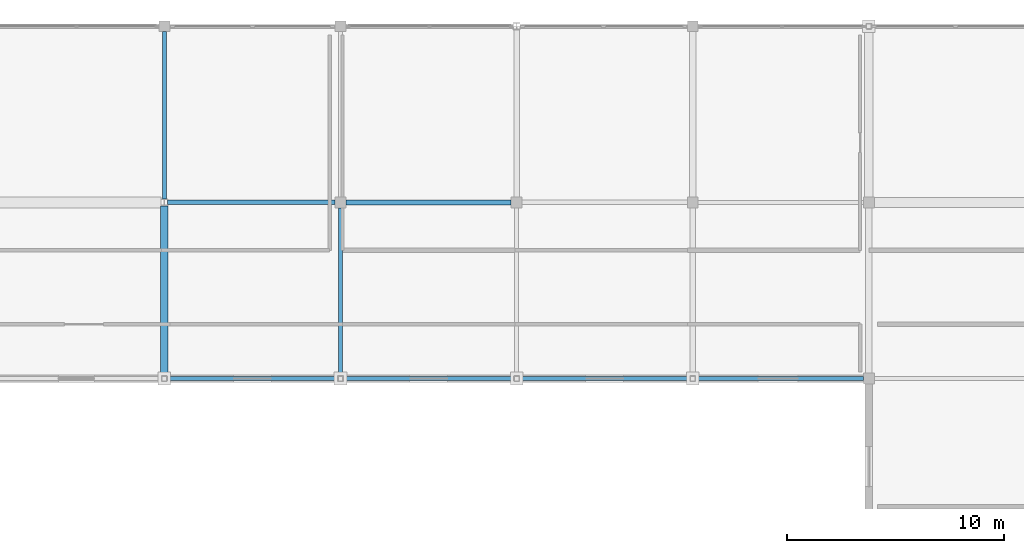
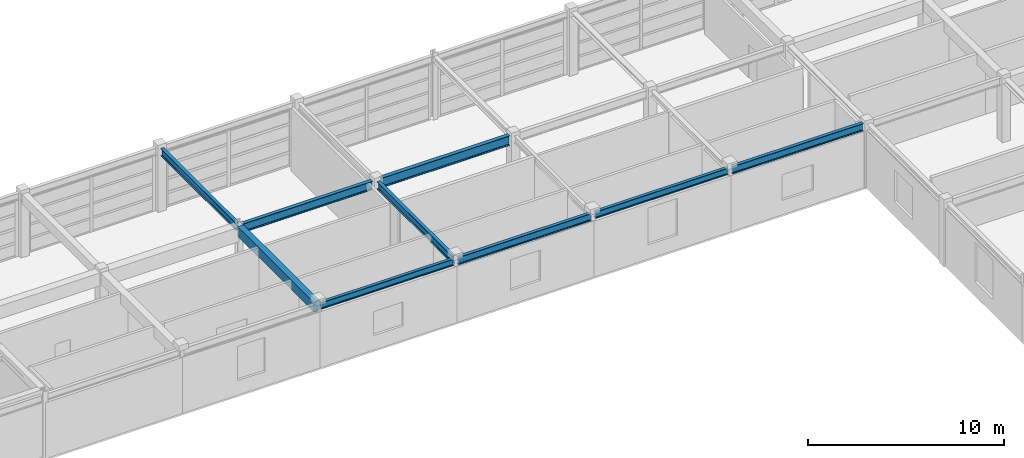
# One storey, part 8 of 19: 9 beams.
"""IFC4 building model written with IfcOpenShell, lengths in metres."""

from ifc_helpers import new_model, si_unit, direction, frame, origin, origin_2d, place, context, subcontext, project, spatial, rectangle, i_section, extrude, material, material_profile, profile_set, type_object, element, save


model = new_model("IFC4")

# Units and contexts
model_context = context("Model", 3, precision=1e-05, world=origin(), true_north=direction((0.0, 1.0)))
body_context = subcontext(model_context, "Body", "Model", "MODEL_VIEW")
ifc_project = project(units=[si_unit("LENGTHUNIT", "METRE"), si_unit("AREAUNIT", "SQUARE_METRE"), si_unit("VOLUMEUNIT", "CUBIC_METRE"), si_unit("PLANEANGLEUNIT", "RADIAN"), si_unit("MASSUNIT", "GRAM", prefix="KILO")], contexts=[model_context])

# Site, building, storey
site_placement = place(None, origin())
site = spatial("IfcSite", under=ifc_project, at=site_placement, CompositionType="ELEMENT")
building_placement = place(site_placement, origin())
building = spatial("IfcBuilding", under=site, at=building_placement, Name="Parian Resonance Hall", CompositionType="ELEMENT")
storey_placement = place(building_placement, frame((0.0, 0.0, 23.39990234375)))
storey = spatial("IfcBuildingStorey", under=building, at=storey_placement, Name="L05", CompositionType="ELEMENT", Elevation=23.39990234375)

# Beams
ifc_material_1 = material(Name="Concrete C40/50", Category="concrete")
ifc_material_profile_1 = material_profile(ifc_material_1, rectangle(XDim=0.35009765625, YDim=0.60009765625, at=origin_2d()), Name="RC-BM-350x600")
ifc_profile_set_1 = profile_set([ifc_material_profile_1], Name="Concrete C40/50")
beam_type_1 = type_object("IfcBeamType", Name="BM-RC350x600", PredefinedType="BEAM", material=ifc_profile_set_1)
beam_1_placement = place(storey_placement, frame((81.0, 73.02490234375, 3.670166015625), z_axis=(0.0, 1.0, 0.0), x_axis=(-1.0, 0.0, 0.0)))
element("IfcBeam", 1, at=beam_1_placement, inside=storey, type_object=beam_type_1, Name="GY-L05-1070", PredefinedType="BEAM", context=body_context, shape_type="SweptSolid", body=[
    extrude(rectangle(XDim=0.35009765625, YDim=0.60009765625, at=origin_2d()), origin(), (0.0, 0.0, 1.0), 7.821044921875),
])
ifc_material_2 = material(Name="Steel S355", Category="steel")
ifc_material_profile_2 = material_profile(ifc_material_2, i_section(OverallWidth=0.180908203125, OverallDepth=0.4169921875, WebThickness=0.010986328125, FlangeThickness=0.018310546875, FilletRadius=0.01513671875, at=origin_2d()), Name="W410x85")
ifc_profile_set_2 = profile_set([ifc_material_profile_2], Name="Steel S355")
beam_type_2 = type_object("IfcBeamType", Name="BM-W410x85", PredefinedType="SPANDREL", material=ifc_profile_set_2)
for number, where, z_axis, x_axis, name in (
    (2, (81.125, 72.89990234375, 3.76171875), (1.0, 0.0, 0.0), (0.0, 1.0, 0.0), "GX-L05-1026"),
    (3, (97.324951171875, 72.89990234375, 3.76171875), (1.0, 0.0, 0.0), (0.0, 1.0, 0.0), "GX-L05-1032"),
):
    element("IfcBeam", number, at=place(storey_placement, frame(where, z_axis=z_axis, x_axis=x_axis)), inside=storey, type_object=beam_type_2, Name=name, PredefinedType="SPANDREL", context=body_context, shape_type="SweptSolid", body=[
        extrude(i_section(OverallWidth=0.180908203125, OverallDepth=0.4169921875, WebThickness=0.010986328125, FlangeThickness=0.018310546875, FilletRadius=0.01513671875, at=origin_2d()), origin(), (0.0, 0.0, 1.0), 7.85009765625),
    ])
ifc_material_3 = material(Name="Steel S355", Category="steel")
ifc_material_profile_3 = material_profile(ifc_material_3, i_section(OverallWidth=0.194091796875, OverallDepth=0.468994140625, WebThickness=0.0126953125, FlangeThickness=0.0205078125, FilletRadius=0.01513671875, at=origin_2d()), Name="W460x106")
ifc_profile_set_3 = profile_set([ifc_material_profile_3], Name="Steel S355")
beam_type_3 = type_object("IfcBeamType", Name="BM-W460x106", PredefinedType="SPANDREL", material=ifc_profile_set_3)
beam_2_placement = place(storey_placement, frame((89.22509765625, 72.89990234375, 3.735595703125), z_axis=(1.0, 0.0, 0.0), x_axis=(0.0, 1.0, 0.0)))
element("IfcBeam", 4, at=beam_2_placement, inside=storey, type_object=beam_type_3, Name="GX-L05-1029", PredefinedType="SPANDREL", context=body_context, shape_type="SweptSolid", body=[
    extrude(i_section(OverallWidth=0.194091796875, OverallDepth=0.468994140625, WebThickness=0.0126953125, FlangeThickness=0.0205078125, FilletRadius=0.01513671875, at=origin_2d()), origin(), (0.0, 0.0, 1.0), 7.849853515625),
])
beam_3_placement = place(storey_placement, frame((105.425048828125, 72.89990234375, 3.735595703125), z_axis=(1.0, 0.0, 0.0), x_axis=(0.0, 1.0, 0.0)))
element("IfcBeam", 5, at=beam_3_placement, inside=storey, type_object=beam_type_3, Name="GX-L05-1035", PredefinedType="SPANDREL", context=body_context, shape_type="SweptSolid", body=[
    extrude(i_section(OverallWidth=0.194091796875, OverallDepth=0.468994140625, WebThickness=0.0126953125, FlangeThickness=0.0205078125, FilletRadius=0.01513671875, at=origin_2d()), origin(), (0.0, 0.0, 1.0), 7.724853515625),
])
beam_4_placement = place(storey_placement, frame((81.0, 81.154052734375, 3.735595703125), z_axis=(0.0, 1.0, 0.0), x_axis=(-1.0, 0.0, 0.0)))
element("IfcBeam", 6, at=beam_4_placement, inside=storey, type_object=beam_type_3, Name="GY-L05-1071", PredefinedType="SPANDREL", context=body_context, shape_type="SweptSolid", body=[
    extrude(i_section(OverallWidth=0.194091796875, OverallDepth=0.468994140625, WebThickness=0.0126953125, FlangeThickness=0.0205078125, FilletRadius=0.01513671875, at=origin_2d()), origin(), (0.0, 0.0, 1.0), 7.696044921875),
])
beam_5_placement = place(storey_placement, frame((89.10009765625, 73.02490234375, 3.735595703125), z_axis=(0.0, 1.0, 0.0), x_axis=(-1.0, 0.0, 0.0)))
element("IfcBeam", 7, at=beam_5_placement, inside=storey, type_object=beam_type_3, Name="GY-L05-1072", PredefinedType="SPANDREL", context=body_context, shape_type="SweptSolid", body=[
    extrude(i_section(OverallWidth=0.194091796875, OverallDepth=0.468994140625, WebThickness=0.0126953125, FlangeThickness=0.0205078125, FilletRadius=0.01513671875, at=origin_2d()), origin(), (0.0, 0.0, 1.0), 7.72509765625),
])
ifc_material_4 = material(Name="Steel S355", Category="steel")
ifc_material_profile_4 = material_profile(ifc_material_4, i_section(OverallWidth=0.2119140625, OverallDepth=0.5439453125, WebThickness=0.01318359375, FlangeThickness=0.021240234375, FilletRadius=0.017822265625, at=origin_2d()), Name="W530x123")
ifc_profile_set_4 = profile_set([ifc_material_profile_4], Name="Steel S355")
beam_type_4 = type_object("IfcBeamType", Name="BM-W530x123", PredefinedType="USERDEFINED", material=ifc_profile_set_4)
beam_6_placement = place(storey_placement, frame((81.152587890625, 81.0, 3.697998046875), z_axis=(1.0, 0.0, 0.0), x_axis=(0.0, 1.0, 0.0)))
element("IfcBeam", 8, at=beam_6_placement, inside=storey, type_object=beam_type_4, Name="GX-L05-1027", ObjectType="GIRDER", PredefinedType="USERDEFINED", context=body_context, shape_type="SweptSolid", body=[
    extrude(i_section(OverallWidth=0.2119140625, OverallDepth=0.5439453125, WebThickness=0.01318359375, FlangeThickness=0.021240234375, FilletRadius=0.017822265625, at=origin_2d()), origin(), (0.0, 0.0, 1.0), 7.697509765625),
])
ifc_material_5 = material(Name="Steel S355", Category="steel")
ifc_material_profile_5 = material_profile(ifc_material_5, i_section(OverallWidth=0.22802734375, OverallDepth=0.60791015625, WebThickness=0.01123046875, FlangeThickness=0.017333984375, FilletRadius=0.017822265625, at=origin_2d()), Name="W610x113")
ifc_profile_set_5 = profile_set([ifc_material_profile_5], Name="Steel S355")
beam_type_5 = type_object("IfcBeamType", Name="BM-W610x113", PredefinedType="USERDEFINED", material=ifc_profile_set_5)
beam_7_placement = place(storey_placement, frame((89.35009765625, 81.0, 3.666015625), z_axis=(1.0, 0.0, 0.0), x_axis=(0.0, 1.0, 0.0)))
element("IfcBeam", 9, at=beam_7_placement, inside=storey, type_object=beam_type_5, Name="GX-L05-1030", ObjectType="GIRDER", PredefinedType="USERDEFINED", context=body_context, shape_type="SweptSolid", body=[
    extrude(i_section(OverallWidth=0.22802734375, OverallDepth=0.60791015625, WebThickness=0.01123046875, FlangeThickness=0.017333984375, FilletRadius=0.017822265625, at=origin_2d()), origin(), (0.0, 0.0, 1.0), 7.599853515625),
])

save(model, "model.ifc")
